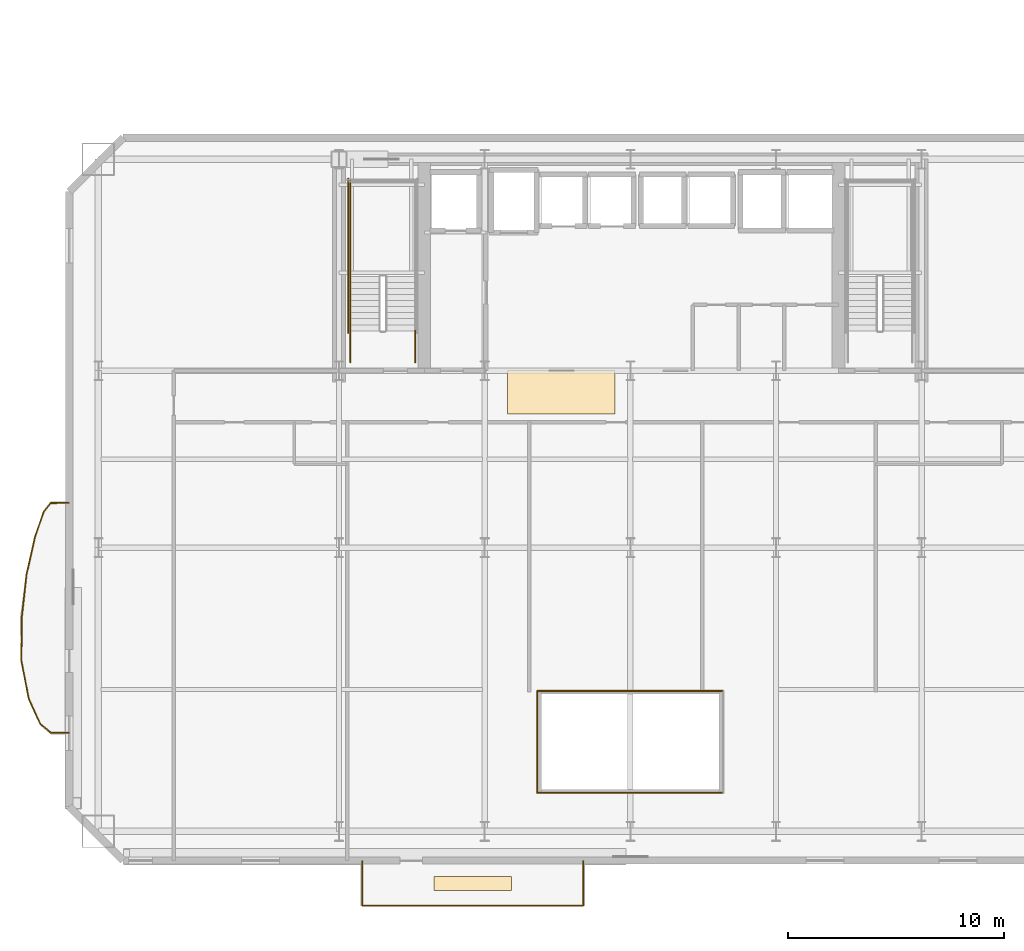
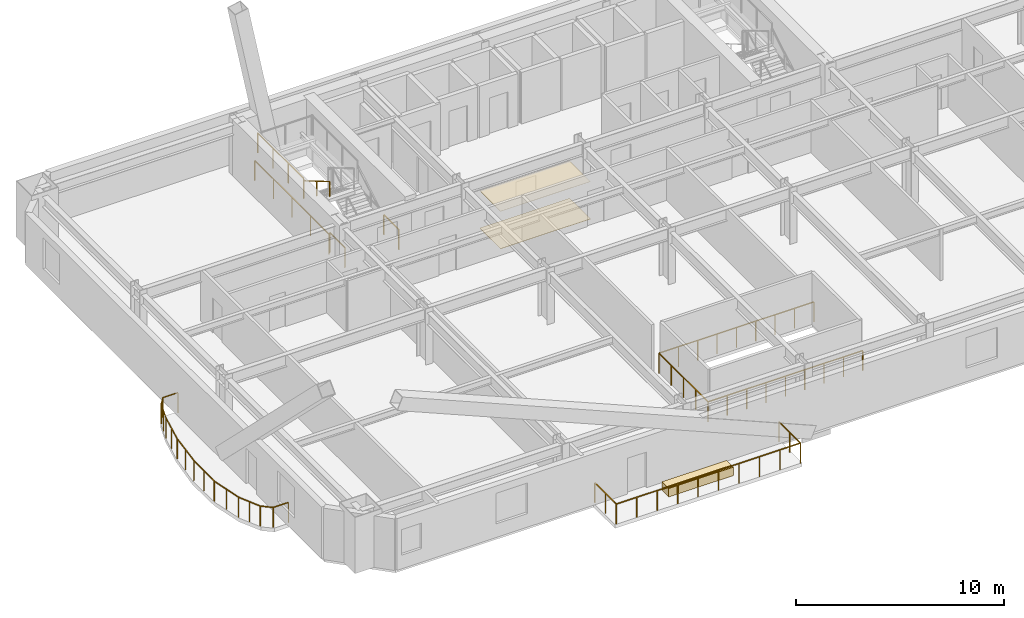
# One storey, part 11 of 18: 21 railings, 3 coverings.
"""IFC4 building model written with IfcOpenShell, lengths in metres."""

from ifc_helpers import new_model, si_unit, direction, frame, origin, origin_2d, place, context, subcontext, project, spatial, polyline, rectangle, outline, extrude, material, layer, layer_set, type_object, element, save


model = new_model("IFC4")

# Units and contexts
model_context = context("Model", 3, precision=1e-05, world=origin(), true_north=direction((0.0, 1.0)))
body_context = subcontext(model_context, "Body", "Model", "MODEL_VIEW")
ifc_project = project(units=[si_unit("LENGTHUNIT", "METRE"), si_unit("AREAUNIT", "SQUARE_METRE"), si_unit("VOLUMEUNIT", "CUBIC_METRE"), si_unit("PLANEANGLEUNIT", "RADIAN"), si_unit("MASSUNIT", "GRAM", prefix="KILO")], contexts=[model_context])

# Site, building, storey
site_placement = place(None, origin())
site = spatial("IfcSite", under=ifc_project, at=site_placement, CompositionType="ELEMENT")
building_placement = place(site_placement, origin())
building = spatial("IfcBuilding", under=site, at=building_placement, Name="Haevon Station Towers", CompositionType="ELEMENT")
storey_placement = place(building_placement, frame((0.0, 0.0, 60.300048828125)))
storey = spatial("IfcBuildingStorey", under=building, at=storey_placement, Name="L15", CompositionType="ELEMENT", Elevation=60.300048828125)

# Railings
ifc_material_1 = material(Name="Steel S355", Category="steel")
railing_type_1 = type_object("IfcRailingType", Name="BAL-ATR1200", PredefinedType="BALUSTRADE", material=ifc_material_1)
railing_1_placement = place(storey_placement, frame((33.19482421875, 18.642333984375, 0.0)))
element("IfcRailing", 1, at=railing_1_placement, inside=storey, type_object=railing_type_1, Name="L15 Atrium Void Balustrade 1", PredefinedType="BALUSTRADE", context=body_context, shape_type="SweptSolid", body=[
    extrude(rectangle(XDim=0.048095703125, YDim=0.048095703125, at=origin_2d()), frame((0.0, 0.0, 1.17578125), z_axis=(1.0, 0.0, 0.0), x_axis=(0.0, 1.0, 0.0)), (0.0, 0.0, 1.0), 8.6103515625),
    extrude(rectangle(XDim=0.0419921875, YDim=0.0419921875, at=origin_2d()), origin(), (0.0, 0.0, 1.0), 1.15185546875),
    extrude(rectangle(XDim=0.0419921875, YDim=0.0419921875, at=origin_2d()), frame((1.076171875, 0.0, 0.0)), (0.0, 0.0, 1.0), 1.15185546875),
    extrude(rectangle(XDim=0.0419921875, YDim=0.0419921875, at=origin_2d()), frame((2.152587890625, 0.0, 0.0)), (0.0, 0.0, 1.0), 1.15185546875),
    extrude(rectangle(XDim=0.0419921875, YDim=0.0419921875, at=origin_2d()), frame((3.22900390625, 0.0, 0.0)), (0.0, 0.0, 1.0), 1.15185546875),
    extrude(rectangle(XDim=0.0419921875, YDim=0.0419921875, at=origin_2d()), frame((4.30517578125, 0.0, 0.0)), (0.0, 0.0, 1.0), 1.15185546875),
    extrude(rectangle(XDim=0.0419921875, YDim=0.0419921875, at=origin_2d()), frame((5.38134765625, 0.0, 0.0)), (0.0, 0.0, 1.0), 1.15185546875),
    extrude(rectangle(XDim=0.0419921875, YDim=0.0419921875, at=origin_2d()), frame((6.457763671875, 0.0, 0.0)), (0.0, 0.0, 1.0), 1.15185546875),
    extrude(rectangle(XDim=0.0419921875, YDim=0.0419921875, at=origin_2d()), frame((7.5341796875, 0.0, 0.0)), (0.0, 0.0, 1.0), 1.15185546875),
    extrude(rectangle(XDim=0.0419921875, YDim=0.0419921875, at=origin_2d()), frame((8.6103515625, 0.0, 0.0)), (0.0, 0.0, 1.0), 1.15185546875),
])
railing_2_placement = place(storey_placement, frame((41.80517578125, 23.357666015625, 0.0)))
element("IfcRailing", 2, at=railing_2_placement, inside=storey, type_object=railing_type_1, Name="L15 Atrium Void Balustrade 3", PredefinedType="BALUSTRADE", context=body_context, shape_type="SweptSolid", body=[
    extrude(rectangle(XDim=0.048095703125, YDim=0.048095703125, at=origin_2d()), frame((0.0, 0.0, 1.17578125), z_axis=(-1.0, 0.0, 0.0), x_axis=(0.0, -1.0, 0.0)), (0.0, 0.0, 1.0), 8.6103515625),
    extrude(rectangle(XDim=0.0419921875, YDim=0.0419921875, at=origin_2d()), origin(), (0.0, 0.0, 1.0), 1.15185546875),
    extrude(rectangle(XDim=0.0419921875, YDim=0.0419921875, at=origin_2d()), frame((-1.076171875, 0.0, 0.0)), (0.0, 0.0, 1.0), 1.15185546875),
    extrude(rectangle(XDim=0.0419921875, YDim=0.0419921875, at=origin_2d()), frame((-2.152587890625, 0.0, 0.0)), (0.0, 0.0, 1.0), 1.15185546875),
    extrude(rectangle(XDim=0.0419921875, YDim=0.0419921875, at=origin_2d()), frame((-3.22900390625, 0.0, 0.0)), (0.0, 0.0, 1.0), 1.15185546875),
    extrude(rectangle(XDim=0.0419921875, YDim=0.0419921875, at=origin_2d()), frame((-4.30517578125, 0.0, 0.0)), (0.0, 0.0, 1.0), 1.15185546875),
    extrude(rectangle(XDim=0.0419921875, YDim=0.0419921875, at=origin_2d()), frame((-5.38134765625, 0.0, 0.0)), (0.0, 0.0, 1.0), 1.15185546875),
    extrude(rectangle(XDim=0.0419921875, YDim=0.0419921875, at=origin_2d()), frame((-6.457763671875, 0.0, 0.0)), (0.0, 0.0, 1.0), 1.15185546875),
    extrude(rectangle(XDim=0.0419921875, YDim=0.0419921875, at=origin_2d()), frame((-7.5341796875, 0.0, 0.0)), (0.0, 0.0, 1.0), 1.15185546875),
    extrude(rectangle(XDim=0.0419921875, YDim=0.0419921875, at=origin_2d()), frame((-8.6103515625, 0.0, 0.0)), (0.0, 0.0, 1.0), 1.15185546875),
])
railing_3_placement = place(storey_placement, frame((33.19482421875, 23.357666015625, 0.0)))
element("IfcRailing", 3, at=railing_3_placement, inside=storey, type_object=railing_type_1, Name="L15 Atrium Void Balustrade 4", PredefinedType="BALUSTRADE", context=body_context, shape_type="SweptSolid", body=[
    extrude(rectangle(XDim=0.048095703125, YDim=0.048095703125, at=origin_2d()), frame((0.0, 0.0, 1.17578125), z_axis=(0.0, -1.0, 0.0), x_axis=(1.0, 0.0, 0.0)), (0.0, 0.0, 1.0), 4.71533203125),
    extrude(rectangle(XDim=0.0419921875, YDim=0.0419921875, at=origin_2d()), origin(), (0.0, 0.0, 1.0), 1.15185546875),
    extrude(rectangle(XDim=0.0419921875, YDim=0.0419921875, at=origin_2d()), frame((0.0, -1.1787109375, 0.0)), (0.0, 0.0, 1.0), 1.15185546875),
    extrude(rectangle(XDim=0.0419921875, YDim=0.0419921875, at=origin_2d()), frame((0.0, -2.357666015625, 0.0)), (0.0, 0.0, 1.0), 1.15185546875),
    extrude(rectangle(XDim=0.0419921875, YDim=0.0419921875, at=origin_2d()), frame((0.0, -3.53662109375, 0.0)), (0.0, 0.0, 1.0), 1.15185546875),
    extrude(rectangle(XDim=0.0419921875, YDim=0.0419921875, at=origin_2d()), frame((0.0, -4.71533203125, 0.0)), (0.0, 0.0, 1.0), 1.15185546875),
])

# Coverings
ifc_material_2 = material(Name="Gypsum acoustic ceiling tile", Category="concrete")
ifc_layer_1 = layer(ifc_material_2, 0.014892578125)
ifc_layer_set_1 = layer_set([ifc_layer_1], Name="Gypsum acoustic ceiling tile")
covering_type_1 = type_object("IfcCoveringType", Name="COV-CEIL15", PredefinedType="CEILING", material=ifc_layer_set_1)
covering_1_placement = place(storey_placement, frame((0.0, 0.0, 2.199951171875)))
element("IfcCovering", 4, at=covering_1_placement, inside=storey, type_object=covering_type_1, Name="L15 Acoustic Corridor Ceiling", PredefinedType="CEILING", context=body_context, shape_type="SweptSolid", body=[
    extrude(outline(polyline([(31.800048828125, 36.199951171875), (36.800048828125, 36.199951171875), (36.800048828125, 38.199951171875), (31.800048828125, 38.199951171875), (31.800048828125, 36.199951171875)])), origin(), (0.0, 0.0, 1.0), 0.014892578125),
])
ifc_material_3 = material(Name="Granite stone paving", Category="masonry")
ifc_layer_2 = layer(ifc_material_3, 0.02001953125)
ifc_layer_set_2 = layer_set([ifc_layer_2], Name="Granite stone paving")
covering_type_2 = type_object("IfcCoveringType", Name="COV-FLR20", PredefinedType="FLOORING", material=ifc_layer_set_2)
covering_2_placement = place(storey_placement, origin())
element("IfcCovering", 5, at=covering_2_placement, inside=storey, type_object=covering_type_2, Name="L15 Corridor Stone Flooring", PredefinedType="FLOORING", context=body_context, shape_type="SweptSolid", body=[
    extrude(outline(polyline([(31.800048828125, 36.199951171875), (36.800048828125, 36.199951171875), (36.800048828125, 38.199951171875), (31.800048828125, 38.199951171875), (31.800048828125, 36.199951171875)])), origin(), (0.0, 0.0, 1.0), 0.02001953125),
])

# Railings
railing_type_2 = type_object("IfcRailingType", Name="GRD-EXT1200", PredefinedType="GUARDRAIL", material=ifc_material_1)
railing_4_placement = place(storey_placement, frame((11.476318359375, 32.072265625, 0.0)))
element("IfcRailing", 6, at=railing_4_placement, inside=storey, type_object=railing_type_2, Name="L15 Perimeter Guardrail 1", PredefinedType="GUARDRAIL", context=body_context, shape_type="SweptSolid", body=[
    extrude(rectangle(XDim=0.048095703125, YDim=0.048095703125, at=origin_2d()), frame((0.0, 0.0, 1.17578125), z_axis=(-0.999997283225, -0.002330995998, 0.0), x_axis=(0.002330995998, -0.999997283225, 0.0)), (0.0, 0.0, 1.0), 0.837890625),
    extrude(rectangle(XDim=0.0419921875, YDim=0.0419921875, at=origin_2d()), origin(), (0.0, 0.0, 1.0), 1.15185546875),
    extrude(rectangle(XDim=0.0419921875, YDim=0.0419921875, at=origin_2d()), frame((-0.837890625, -0.001953125, 0.0)), (0.0, 0.0, 1.0), 1.15185546875),
])
railing_5_placement = place(storey_placement, frame((10.638427734375, 32.0703125, 0.0)))
element("IfcRailing", 7, at=railing_5_placement, inside=storey, type_object=railing_type_2, Name="L15 Perimeter Guardrail 2", PredefinedType="GUARDRAIL", context=body_context, shape_type="SweptSolid", body=[
    extrude(rectangle(XDim=0.048095703125, YDim=0.048095703125, at=origin_2d()), frame((0.0, 0.0, 1.17578125), z_axis=(-0.626104860379, -0.779738868987, 0.0), x_axis=(0.779738868987, -0.626104860379, 0.0)), (0.0, 0.0, 1.0), 0.527587890625),
    extrude(rectangle(XDim=0.0419921875, YDim=0.0419921875, at=origin_2d()), origin(), (0.0, 0.0, 1.0), 1.15185546875),
    extrude(rectangle(XDim=0.0419921875, YDim=0.0419921875, at=origin_2d()), frame((-0.330322265625, -0.411376953125, 0.0)), (0.0, 0.0, 1.0), 1.15185546875),
])
railing_6_placement = place(storey_placement, frame((10.30810546875, 31.658935546875, 0.0)))
element("IfcRailing", 8, at=railing_6_placement, inside=storey, type_object=railing_type_2, Name="L15 Perimeter Guardrail 3", PredefinedType="GUARDRAIL", context=body_context, shape_type="SweptSolid", body=[
    extrude(rectangle(XDim=0.048095703125, YDim=0.048095703125, at=origin_2d()), frame((0.0, 0.0, 1.17578125), z_axis=(-0.324208289562, -0.94598572134, 0.0), x_axis=(0.94598572134, -0.324208289562, 0.0)), (0.0, 0.0, 1.0), 1.2373046875),
    extrude(rectangle(XDim=0.0419921875, YDim=0.0419921875, at=origin_2d()), origin(), (0.0, 0.0, 1.0), 1.15185546875),
    extrude(rectangle(XDim=0.0419921875, YDim=0.0419921875, at=origin_2d()), frame((-0.20068359375, -0.585205078125, 0.0)), (0.0, 0.0, 1.0), 1.15185546875),
    extrude(rectangle(XDim=0.0419921875, YDim=0.0419921875, at=origin_2d()), frame((-0.401123046875, -1.17041015625, 0.0)), (0.0, 0.0, 1.0), 1.15185546875),
])
railing_7_placement = place(storey_placement, frame((9.906982421875, 30.488525390625, 0.0)))
element("IfcRailing", 9, at=railing_7_placement, inside=storey, type_object=railing_type_2, Name="L15 Perimeter Guardrail 4", PredefinedType="GUARDRAIL", context=body_context, shape_type="SweptSolid", body=[
    extrude(rectangle(XDim=0.048095703125, YDim=0.048095703125, at=origin_2d()), frame((0.0, 0.0, 1.17578125), z_axis=(-0.219570571944, -0.975596619478, 0.0), x_axis=(0.975596619478, -0.219570571944, 0.0)), (0.0, 0.0, 1.0), 1.791259765625),
    extrude(rectangle(XDim=0.0419921875, YDim=0.0419921875, at=origin_2d()), origin(), (0.0, 0.0, 1.0), 1.15185546875),
    extrude(rectangle(XDim=0.0419921875, YDim=0.0419921875, at=origin_2d()), frame((-0.19677734375, -0.873779296875, 0.0)), (0.0, 0.0, 1.0), 1.15185546875),
    extrude(rectangle(XDim=0.0419921875, YDim=0.0419921875, at=origin_2d()), frame((-0.393310546875, -1.74755859375, 0.0)), (0.0, 0.0, 1.0), 1.15185546875),
])
railing_8_placement = place(storey_placement, frame((9.513671875, 28.740966796875, 0.0)))
element("IfcRailing", 10, at=railing_8_placement, inside=storey, type_object=railing_type_2, Name="L15 Perimeter Guardrail 5", PredefinedType="GUARDRAIL", context=body_context, shape_type="SweptSolid", body=[
    extrude(rectangle(XDim=0.048095703125, YDim=0.048095703125, at=origin_2d()), frame((0.0, 0.0, 1.17578125), z_axis=(-0.108852691243, -0.994057891478, 0.0), x_axis=(0.994057891478, -0.108852691243, 0.0)), (0.0, 0.0, 1.0), 2.0029296875),
    extrude(rectangle(XDim=0.0419921875, YDim=0.0419921875, at=origin_2d()), origin(), (0.0, 0.0, 1.0), 1.15185546875),
    extrude(rectangle(XDim=0.0419921875, YDim=0.0419921875, at=origin_2d()), frame((-0.10888671875, -0.99560546875, 0.0)), (0.0, 0.0, 1.0), 1.15185546875),
    extrude(rectangle(XDim=0.0419921875, YDim=0.0419921875, at=origin_2d()), frame((-0.218017578125, -1.990966796875, 0.0)), (0.0, 0.0, 1.0), 1.15185546875),
])
railing_9_placement = place(storey_placement, frame((9.295654296875, 26.75, 0.0)))
element("IfcRailing", 11, at=railing_9_placement, inside=storey, type_object=railing_type_2, Name="L15 Perimeter Guardrail 6", PredefinedType="GUARDRAIL", context=body_context, shape_type="SweptSolid", body=[
    extrude(rectangle(XDim=0.048095703125, YDim=0.048095703125, at=origin_2d()), frame((0.0, 0.0, 1.17578125), z_axis=(-0.008448333236, -0.999964312196, 0.0), x_axis=(0.999964312196, -0.008448333236, 0.0)), (0.0, 0.0, 1.0), 1.993896484375),
    extrude(rectangle(XDim=0.0419921875, YDim=0.0419921875, at=origin_2d()), origin(), (0.0, 0.0, 1.0), 1.15185546875),
    extrude(rectangle(XDim=0.0419921875, YDim=0.0419921875, at=origin_2d()), frame((-0.00830078125, -0.9970703125, 0.0)), (0.0, 0.0, 1.0), 1.15185546875),
    extrude(rectangle(XDim=0.0419921875, YDim=0.0419921875, at=origin_2d()), frame((-0.016845703125, -1.993896484375, 0.0)), (0.0, 0.0, 1.0), 1.15185546875),
])
railing_10_placement = place(storey_placement, frame((9.27880859375, 24.756103515625, 0.0)))
element("IfcRailing", 12, at=railing_10_placement, inside=storey, type_object=railing_type_2, Name="L15 Perimeter Guardrail 7", PredefinedType="GUARDRAIL", context=body_context, shape_type="SweptSolid", body=[
    extrude(rectangle(XDim=0.048095703125, YDim=0.048095703125, at=origin_2d()), frame((0.0, 0.0, 1.17578125), z_axis=(0.189270206795, -0.981925042363, 0.0), x_axis=(0.981925042363, 0.189270206795, 0.0)), (0.0, 0.0, 1.0), 1.777587890625),
    extrude(rectangle(XDim=0.0419921875, YDim=0.0419921875, at=origin_2d()), origin(), (0.0, 0.0, 1.0), 1.15185546875),
    extrude(rectangle(XDim=0.0419921875, YDim=0.0419921875, at=origin_2d()), frame((0.168212890625, -0.87255859375, 0.0)), (0.0, 0.0, 1.0), 1.15185546875),
    extrude(rectangle(XDim=0.0419921875, YDim=0.0419921875, at=origin_2d()), frame((0.33642578125, -1.745361328125, 0.0)), (0.0, 0.0, 1.0), 1.15185546875),
])
railing_11_placement = place(storey_placement, frame((9.615234375, 23.0107421875, 0.0)))
element("IfcRailing", 13, at=railing_11_placement, inside=storey, type_object=railing_type_2, Name="L15 Perimeter Guardrail 8", PredefinedType="GUARDRAIL", context=body_context, shape_type="SweptSolid", body=[
    extrude(rectangle(XDim=0.048095703125, YDim=0.048095703125, at=origin_2d()), frame((0.0, 0.0, 1.17578125), z_axis=(0.414318131111, -0.910132125701, 0.0), x_axis=(0.910132125701, 0.414318131111, 0.0)), (0.0, 0.0, 1.0), 1.28515625),
    extrude(rectangle(XDim=0.0419921875, YDim=0.0419921875, at=origin_2d()), origin(), (0.0, 0.0, 1.0), 1.15185546875),
    extrude(rectangle(XDim=0.0419921875, YDim=0.0419921875, at=origin_2d()), frame((0.26611328125, -0.5849609375, 0.0)), (0.0, 0.0, 1.0), 1.15185546875),
    extrude(rectangle(XDim=0.0419921875, YDim=0.0419921875, at=origin_2d()), frame((0.532470703125, -1.169677734375, 0.0)), (0.0, 0.0, 1.0), 1.15185546875),
])
railing_12_placement = place(storey_placement, frame((10.147705078125, 21.841064453125, 0.0)))
element("IfcRailing", 14, at=railing_12_placement, inside=storey, type_object=railing_type_2, Name="L15 Perimeter Guardrail 9", PredefinedType="GUARDRAIL", context=body_context, shape_type="SweptSolid", body=[
    extrude(rectangle(XDim=0.048095703125, YDim=0.048095703125, at=origin_2d()), frame((0.0, 0.0, 1.17578125), z_axis=(0.766342909973, -0.642431742938, 0.0), x_axis=(0.642431742938, 0.766342909973, 0.0)), (0.0, 0.0, 1.0), 0.640380859375),
    extrude(rectangle(XDim=0.0419921875, YDim=0.0419921875, at=origin_2d()), origin(), (0.0, 0.0, 1.0), 1.15185546875),
    extrude(rectangle(XDim=0.0419921875, YDim=0.0419921875, at=origin_2d()), frame((0.49072265625, -0.411376953125, 0.0)), (0.0, 0.0, 1.0), 1.15185546875),
])
railing_13_placement = place(storey_placement, frame((10.638427734375, 21.4296875, 0.0)))
element("IfcRailing", 15, at=railing_13_placement, inside=storey, type_object=railing_type_2, Name="L15 Perimeter Guardrail 10", PredefinedType="GUARDRAIL", context=body_context, shape_type="SweptSolid", body=[
    extrude(rectangle(XDim=0.048095703125, YDim=0.048095703125, at=origin_2d()), frame((0.0, 0.0, 1.17578125), z_axis=(0.999997283225, -0.002330995998, 0.0), x_axis=(0.002330995998, 0.999997283225, 0.0)), (0.0, 0.0, 1.0), 0.837890625),
    extrude(rectangle(XDim=0.0419921875, YDim=0.0419921875, at=origin_2d()), origin(), (0.0, 0.0, 1.0), 1.15185546875),
    extrude(rectangle(XDim=0.0419921875, YDim=0.0419921875, at=origin_2d()), frame((0.837890625, -0.001953125, 0.0)), (0.0, 0.0, 1.0), 1.15185546875),
])
railing_14_placement = place(storey_placement, frame((25.078369140625, 13.415771484375, 0.0)))
element("IfcRailing", 16, at=railing_14_placement, inside=storey, type_object=railing_type_2, Name="L15 Perimeter Guardrail 1", PredefinedType="GUARDRAIL", context=body_context, shape_type="SweptSolid", body=[
    extrude(rectangle(XDim=0.048095703125, YDim=0.048095703125, at=origin_2d()), frame((0.0, 0.0, 1.17578125), z_axis=(1.0, 0.0, 0.0), x_axis=(0.0, 1.0, 0.0)), (0.0, 0.0, 1.0), 10.2431640625),
    extrude(rectangle(XDim=0.0419921875, YDim=0.0419921875, at=origin_2d()), origin(), (0.0, 0.0, 1.0), 1.15185546875),
    extrude(rectangle(XDim=0.0419921875, YDim=0.0419921875, at=origin_2d()), frame((1.13818359375, 0.0, 0.0)), (0.0, 0.0, 1.0), 1.15185546875),
    extrude(rectangle(XDim=0.0419921875, YDim=0.0419921875, at=origin_2d()), frame((2.2763671875, 0.0, 0.0)), (0.0, 0.0, 1.0), 1.15185546875),
    extrude(rectangle(XDim=0.0419921875, YDim=0.0419921875, at=origin_2d()), frame((3.414306640625, 0.0, 0.0)), (0.0, 0.0, 1.0), 1.15185546875),
    extrude(rectangle(XDim=0.0419921875, YDim=0.0419921875, at=origin_2d()), frame((4.552490234375, 0.0, 0.0)), (0.0, 0.0, 1.0), 1.15185546875),
    extrude(rectangle(XDim=0.0419921875, YDim=0.0419921875, at=origin_2d()), frame((5.690673828125, 0.0, 0.0)), (0.0, 0.0, 1.0), 1.15185546875),
    extrude(rectangle(XDim=0.0419921875, YDim=0.0419921875, at=origin_2d()), frame((6.828857421875, 0.0, 0.0)), (0.0, 0.0, 1.0), 1.15185546875),
    extrude(rectangle(XDim=0.0419921875, YDim=0.0419921875, at=origin_2d()), frame((7.966796875, 0.0, 0.0)), (0.0, 0.0, 1.0), 1.15185546875),
    extrude(rectangle(XDim=0.0419921875, YDim=0.0419921875, at=origin_2d()), frame((9.10498046875, 0.0, 0.0)), (0.0, 0.0, 1.0), 1.15185546875),
    extrude(rectangle(XDim=0.0419921875, YDim=0.0419921875, at=origin_2d()), frame((10.2431640625, 0.0, 0.0)), (0.0, 0.0, 1.0), 1.15185546875),
])
railing_15_placement = place(storey_placement, frame((35.321533203125, 13.415771484375, 0.0)))
element("IfcRailing", 17, at=railing_15_placement, inside=storey, type_object=railing_type_2, Name="L15 Perimeter Guardrail 2", PredefinedType="GUARDRAIL", context=body_context, shape_type="SweptSolid", body=[
    extrude(rectangle(XDim=0.048095703125, YDim=0.048095703125, at=origin_2d()), frame((0.0, 0.0, 1.17578125), z_axis=(0.0, 1.0, 0.0), x_axis=(-1.0, 0.0, 0.0)), (0.0, 0.0, 1.0), 2.0634765625),
    extrude(rectangle(XDim=0.0419921875, YDim=0.0419921875, at=origin_2d()), origin(), (0.0, 0.0, 1.0), 1.15185546875),
    extrude(rectangle(XDim=0.0419921875, YDim=0.0419921875, at=origin_2d()), frame((0.0, 1.03173828125, 0.0)), (0.0, 0.0, 1.0), 1.15185546875),
    extrude(rectangle(XDim=0.0419921875, YDim=0.0419921875, at=origin_2d()), frame((0.0, 2.0634765625, 0.0)), (0.0, 0.0, 1.0), 1.15185546875),
])
railing_16_placement = place(storey_placement, frame((25.078369140625, 15.479248046875, 0.0)))
element("IfcRailing", 18, at=railing_16_placement, inside=storey, type_object=railing_type_2, Name="L15 Perimeter Guardrail 3", PredefinedType="GUARDRAIL", context=body_context, shape_type="SweptSolid", body=[
    extrude(rectangle(XDim=0.048095703125, YDim=0.048095703125, at=origin_2d()), frame((0.0, 0.0, 1.17578125), z_axis=(0.0, -1.0, 0.0), x_axis=(1.0, 0.0, 0.0)), (0.0, 0.0, 1.0), 2.0634765625),
    extrude(rectangle(XDim=0.0419921875, YDim=0.0419921875, at=origin_2d()), origin(), (0.0, 0.0, 1.0), 1.15185546875),
    extrude(rectangle(XDim=0.0419921875, YDim=0.0419921875, at=origin_2d()), frame((0.0, -1.03173828125, 0.0)), (0.0, 0.0, 1.0), 1.15185546875),
    extrude(rectangle(XDim=0.0419921875, YDim=0.0419921875, at=origin_2d()), frame((0.0, -2.0634765625, 0.0)), (0.0, 0.0, 1.0), 1.15185546875),
])
railing_type_3 = type_object("IfcRailingType", Name="GRD-STR1200", PredefinedType="GUARDRAIL", material=ifc_material_1)
railing_17_placement = place(storey_placement, frame((24.530029296875, 42.570068359375, 1.64990234375)))
element("IfcRailing", 19, at=railing_17_placement, inside=storey, type_object=railing_type_3, Name="L15 ST1 Stair Guard 4", PredefinedType="GUARDRAIL", context=body_context, shape_type="SweptSolid", body=[
    extrude(rectangle(XDim=0.048095703125, YDim=0.048095703125, at=origin_2d()), frame((0.0, 0.0, 1.17578125), z_axis=(0.0, 1.0, 0.0), x_axis=(-1.0, 0.0, 0.0)), (0.0, 0.0, 1.0), 4.429931640625),
    extrude(rectangle(XDim=0.0419921875, YDim=0.0419921875, at=origin_2d()), origin(), (0.0, 0.0, 1.0), 1.15185546875),
    extrude(rectangle(XDim=0.0419921875, YDim=0.0419921875, at=origin_2d()), frame((0.0, 1.4765625, 0.0)), (0.0, 0.0, 1.0), 1.15185546875),
    extrude(rectangle(XDim=0.0419921875, YDim=0.0419921875, at=origin_2d()), frame((0.0, 2.953369140625, 0.0)), (0.0, 0.0, 1.0), 1.15185546875),
    extrude(rectangle(XDim=0.0419921875, YDim=0.0419921875, at=origin_2d()), frame((0.0, 4.429931640625, 0.0)), (0.0, 0.0, 1.0), 1.15185546875),
])
for number, where, name in (
    (20, (27.530029296875, 38.60009765625, 0.0), "L15 ST1 Stair Guard 8"),
    (21, (24.530029296875, 38.60009765625, 0.0), "L15 ST1 Stair Guard 9"),
):
    element("IfcRailing", number, at=place(storey_placement, frame(where)), inside=storey, type_object=railing_type_3, Name=name, PredefinedType="GUARDRAIL", context=body_context, shape_type="SweptSolid", body=[
        extrude(rectangle(XDim=0.048095703125, YDim=0.048095703125, at=origin_2d()), frame((0.0, 0.0, 1.17578125), z_axis=(0.0, 1.0, 0.0), x_axis=(-1.0, 0.0, 0.0)), (0.0, 0.0, 1.0), 1.449951171875),
        extrude(rectangle(XDim=0.0419921875, YDim=0.0419921875, at=origin_2d()), origin(), (0.0, 0.0, 1.0), 1.15185546875),
        extrude(rectangle(XDim=0.0419921875, YDim=0.0419921875, at=origin_2d()), frame((0.0, 1.449951171875, 0.0)), (0.0, 0.0, 1.0), 1.15185546875),
    ])
railing_18_placement = place(storey_placement, frame((24.429931640625, 39.949951171875, 0.0)))
element("IfcRailing", 22, at=railing_18_placement, inside=storey, type_object=railing_type_3, Name="L15 ST1 Stair Guard 11", PredefinedType="GUARDRAIL", context=body_context, shape_type="SweptSolid", body=[
    extrude(rectangle(XDim=0.048095703125, YDim=0.048095703125, at=origin_2d()), frame((0.0, 0.0, 1.17578125), z_axis=(0.0, 1.0, 0.0), x_axis=(-1.0, 0.0, 0.0)), (0.0, 0.0, 1.0), 7.150146484375),
    extrude(rectangle(XDim=0.0419921875, YDim=0.0419921875, at=origin_2d()), origin(), (0.0, 0.0, 1.0), 1.15185546875),
    extrude(rectangle(XDim=0.0419921875, YDim=0.0419921875, at=origin_2d()), frame((0.0, 1.78759765625, 0.0)), (0.0, 0.0, 1.0), 1.15185546875),
    extrude(rectangle(XDim=0.0419921875, YDim=0.0419921875, at=origin_2d()), frame((0.0, 3.5751953125, 0.0)), (0.0, 0.0, 1.0), 1.15185546875),
    extrude(rectangle(XDim=0.0419921875, YDim=0.0419921875, at=origin_2d()), frame((0.0, 5.362548828125, 0.0)), (0.0, 0.0, 1.0), 1.15185546875),
    extrude(rectangle(XDim=0.0419921875, YDim=0.0419921875, at=origin_2d()), frame((0.0, 7.150146484375, 0.0)), (0.0, 0.0, 1.0), 1.15185546875),
])
railing_type_4 = type_object("IfcRailingType", Name="HND-STR900", PredefinedType="HANDRAIL", material=ifc_material_1)
railing_19_placement = place(storey_placement, frame((24.530029296875, 42.570068359375, 1.81494140625)))
element("IfcRailing", 23, at=railing_19_placement, inside=storey, type_object=railing_type_4, Name="L15 ST1 Stair Handrail 2", PredefinedType="HANDRAIL", context=body_context, shape_type="SweptSolid", body=[
    extrude(rectangle(XDim=0.048095703125, YDim=0.048095703125, at=origin_2d()), frame((0.0, 0.0, 0.8759765625), z_axis=(0.0, -0.86152411907, 0.507716645641), x_axis=(1.0, 0.0, 0.0)), (0.0, 0.0, 1.0), 2.925048828125),
    extrude(rectangle(XDim=0.0419921875, YDim=0.0419921875, at=origin_2d()), origin(), (0.0, 0.0, 1.0), 0.851806640625),
    extrude(rectangle(XDim=0.0419921875, YDim=0.0419921875, at=origin_2d()), frame((0.0, -1.260009765625, 0.74267578125)), (0.0, 0.0, 1.0), 0.851806640625),
    extrude(rectangle(XDim=0.0419921875, YDim=0.0419921875, at=origin_2d()), frame((0.0, -2.52001953125, 1.485107421875)), (0.0, 0.0, 1.0), 0.851806640625),
])

# Covering
ifc_material_4 = material(Name="Architectural planter GRC", Category="concrete")
ifc_layer_3 = layer(ifc_material_4, 0.550048828125)
ifc_layer_set_3 = layer_set([ifc_layer_3], Name="Architectural planter GRC")
covering_type_3 = type_object("IfcCoveringType", Name="PLN-GRC550", PredefinedType="MOLDING", material=ifc_layer_set_3)
covering_3_placement = place(storey_placement, frame((30.199951171875, 14.447509765625, 0.0), z_axis=(0.0, 0.0, 1.0), x_axis=(1.0, 0.0, 0.0)))
element("IfcCovering", 24, at=covering_3_placement, inside=storey, type_object=covering_type_3, Name="Tower 1 L15 Facade Trough PLANTER", PredefinedType="MOLDING", context=body_context, shape_type="SweptSolid", body=[
    extrude(rectangle(XDim=3.60009765625, YDim=0.64990234375, at=origin_2d()), origin(), (0.0, 0.0, 1.0), 0.5),
])

save(model, "model.ifc")
